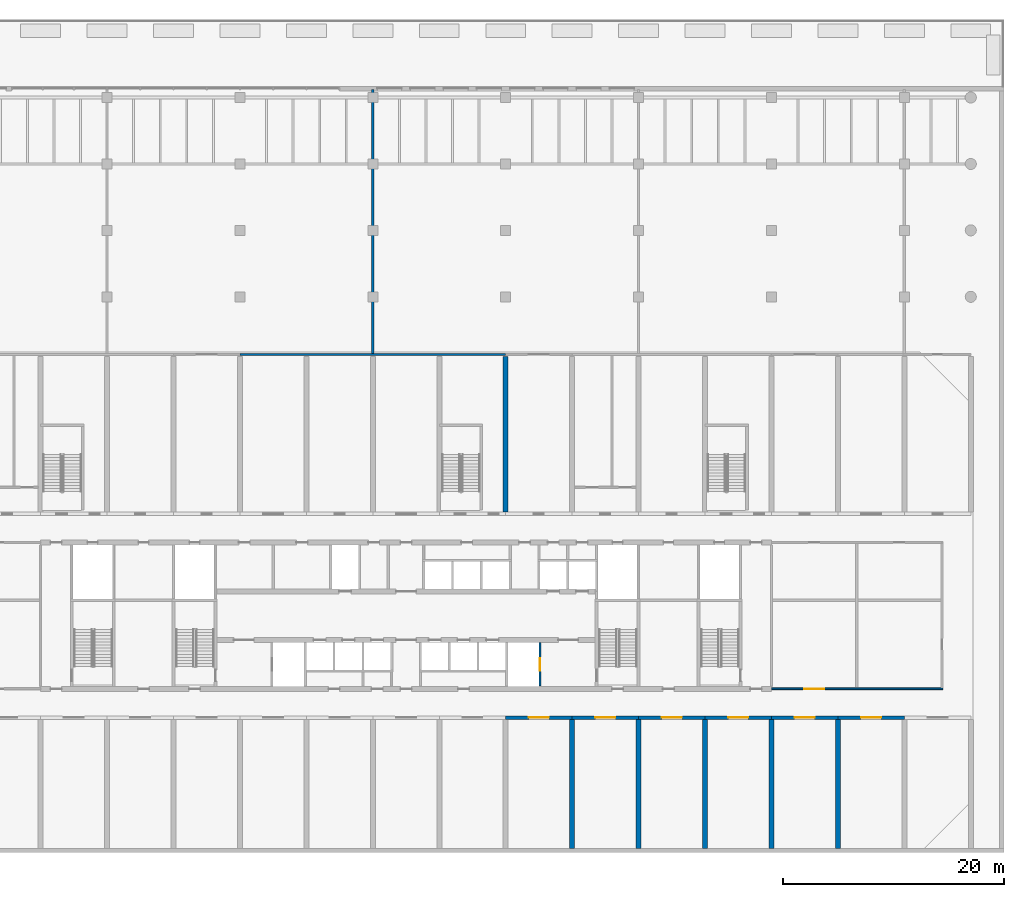
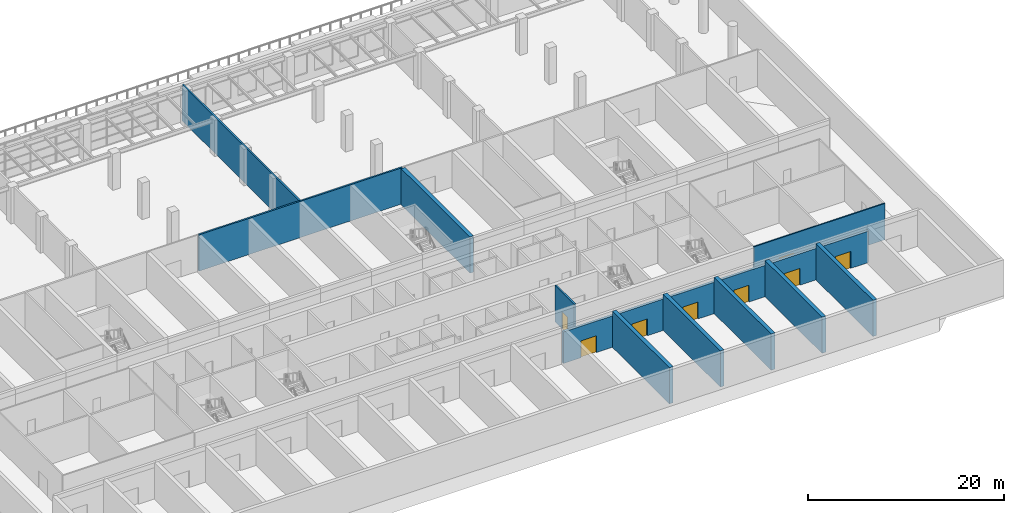
# One storey, part 12 of 20: 16 walls, 8 doors, 8 openings.
"""IFC4 building model written with IfcOpenShell, lengths in metres."""

from ifc_helpers import new_model, si_unit, direction, frame, frame_2d, origin, place, context, subcontext, project, spatial, rectangle, extrude, material, layer, layer_set, type_object, element, fill, save


model = new_model("IFC4")

# Units and contexts
model_context = context("Model", 3, precision=1e-05, world=origin(), true_north=direction((0.0, 1.0)))
body_context = subcontext(model_context, "Body", "Model", "MODEL_VIEW")
ifc_project = project(units=[si_unit("LENGTHUNIT", "METRE"), si_unit("AREAUNIT", "SQUARE_METRE"), si_unit("VOLUMEUNIT", "CUBIC_METRE"), si_unit("PLANEANGLEUNIT", "RADIAN"), si_unit("MASSUNIT", "GRAM", prefix="KILO")], contexts=[model_context])

# Site, building, storey
site_placement = place(None, origin())
site = spatial("IfcSite", under=ifc_project, at=site_placement, CompositionType="ELEMENT")
building_placement = place(site_placement, origin())
building = spatial("IfcBuilding", under=site, at=building_placement, Name="Poui Terraces", CompositionType="ELEMENT")
storey_placement = place(building_placement, frame((0.0, 0.0, 6.0)))
storey = spatial("IfcBuildingStorey", under=building, at=storey_placement, Name="L01", CompositionType="ELEMENT", Elevation=6.0)

# Walls
ifc_material_1 = material(Name="Fire-rated masonry wall", Category="masonry")
ifc_layer_1 = layer(ifc_material_1, 0.199951171875)
ifc_layer_set_1 = layer_set([ifc_layer_1], Name="Fire-rated masonry wall")
wall_type_1 = type_object("IfcWallType", Name="COMPARTMENT WALL 200", PredefinedType="PARTITIONING", material=ifc_layer_set_1)
wall_1_placement = place(storey_placement, frame((36.0, 44.800048828125, 0.0), z_axis=(0.0, 0.0, 1.0), x_axis=(1.0, 0.0, 0.0)))
element("IfcWall", 1, at=wall_1_placement, inside=storey, type_object=wall_type_1, Name="COMPARTMENT WALL 200", PredefinedType="PARTITIONING", context=body_context, shape_type="SweptSolid", body=[
    extrude(rectangle(XDim=24.0, YDim=0.199951171875, at=frame_2d((12.0, 0.0))), origin(), (0.0, 0.0, 1.0), 4.52001953125),
])
wall_2_placement = place(storey_placement, frame((48.0, 44.89990234375, 0.0), z_axis=(0.0, 0.0, 1.0), x_axis=(0.0, 1.0, 0.0)))
element("IfcWall", 2, at=wall_2_placement, inside=storey, type_object=wall_type_1, Name="COMPARTMENT WALL 200", PredefinedType="PARTITIONING", context=body_context, shape_type="SweptSolid", body=[
    extrude(rectangle(XDim=23.840087890625, YDim=0.199951171875, at=frame_2d((11.919921875, 0.0))), origin(), (0.0, 0.0, 1.0), 4.52001953125),
])

# Wall, opening, door
ifc_material_2 = material(Name="Fire-rated plasterboard wall")
ifc_layer_2 = layer(ifc_material_2, 0.14990234375)
ifc_layer_set_2 = layer_set([ifc_layer_2], Name="Fire-rated plasterboard wall")
wall_type_2 = type_object("IfcWallType", Name="CORRIDOR WALL 150", PredefinedType="PARTITIONING", material=ifc_layer_set_2)
wall_3_placement = place(storey_placement, frame((84.010009765625, 14.60009765625, 0.0), z_axis=(0.0, 0.0, 1.0), x_axis=(1.0, 0.0, 0.0)))
wall_3 = element("IfcWall", 3, at=wall_3_placement, inside=storey, type_object=wall_type_2, Name="CORRIDOR WALL 150", PredefinedType="PARTITIONING", context=body_context, shape_type="SweptSolid", body=[
    extrude(rectangle(XDim=15.465087890625, YDim=0.14990234375, at=frame_2d((7.732421875, 0.0))), origin(), (0.0, 0.0, 1.0), 4.52001953125),
])
opening_1_placement = place(wall_3_placement, frame((2.93994140625, 0.0, 0.0)))
opening_1 = element("IfcOpeningElement", 4, at=opening_1_placement, cuts=wall_3, Name="Opening DD180", PredefinedType="OPENING", context=body_context, shape_type="SweptSolid", body=[
    extrude(rectangle(XDim=1.800048828125, YDim=2.10009765625, at=frame_2d((0.89990234375, 1.050048828125))), frame((0.0, 0.0849609375, 0.0), z_axis=(0.0, -1.0, 0.0), x_axis=(1.0, 0.0, 0.0)), (0.0, 0.0, 1.0), 0.169921875),
])
ifc_material_3 = material(Name="Steel fire door", Category="steel")
door_type_1 = type_object("IfcDoorType", Name="DOUBLE INTERNAL DOOR 1800 X 2100", OperationType="DOUBLE_DOOR_SINGLE_SWING", PredefinedType="DOOR", material=ifc_material_3)
door_1_placement = place(opening_1_placement, frame((1.800048828125, 0.0, 0.0), z_axis=(0.0, 0.0, 1.0), x_axis=(-1.0, 0.0, 0.0)))
door_1 = element("IfcDoor", 5, at=door_1_placement, inside=storey, type_object=door_type_1, Name="DOUBLE INTERNAL DOOR 068", OperationType="DOUBLE_DOOR_SINGLE_SWING", OverallHeight=2.10009765625, OverallWidth=1.800048828125, PredefinedType="DOOR", context=body_context, shape_type="SweptSolid", body=[
    extrude(rectangle(XDim=1.800048828125, YDim=2.10009765625, at=frame_2d((0.89990234375, 1.050048828125))), frame((0.0, 0.02490234375, 0.0), z_axis=(0.0, -1.0, 0.0), x_axis=(1.0, 0.0, 0.0)), (0.0, 0.0, 1.0), 0.050048828125),
])
fill(opening_1, door_1)

ifc_material_4 = material(Name="Concrete 80 MPa", Category="concrete")
ifc_layer_3 = layer(ifc_material_4, 0.300048828125)
ifc_layer_set_3 = layer_set([ifc_layer_3], Name="Concrete 80 MPa")
wall_type_3 = type_object("IfcWallType", Name="CORRIDOR WALL 300 80MPa", PredefinedType="SHEAR", material=ifc_layer_set_3)
wall_4_placement = place(storey_placement, frame((60.0, 12.0, 0.0), z_axis=(0.0, 0.0, 1.0), x_axis=(1.0, 0.0, 0.0)))
wall_4 = element("IfcWall", 6, at=wall_4_placement, inside=storey, type_object=wall_type_3, Name="CORRIDOR WALL LINE B BAY 11", PredefinedType="SHEAR", context=body_context, shape_type="SweptSolid", body=[
    extrude(rectangle(XDim=6.0, YDim=0.300048828125, at=frame_2d((3.0, 0.0))), origin(), (0.0, 0.0, 1.0), 3.919921875),
])
opening_2_placement = place(wall_4_placement, frame((2.10009765625, 0.0, 0.0)))
opening_2 = element("IfcOpeningElement", 7, at=opening_2_placement, cuts=wall_4, Name="Opening DD180", PredefinedType="OPENING", context=body_context, shape_type="SweptSolid", body=[
    extrude(rectangle(XDim=1.800048828125, YDim=2.10009765625, at=frame_2d((0.89990234375, 1.050048828125))), frame((0.0, 0.16015625, 0.0), z_axis=(0.0, -1.0, 0.0), x_axis=(1.0, 0.0, 0.0)), (0.0, 0.0, 1.0), 0.320068359375),
])
door_2_placement = place(opening_2_placement, origin())
door_2 = element("IfcDoor", 8, at=door_2_placement, inside=storey, type_object=door_type_1, Name="DOUBLE INTERNAL DOOR 060", OperationType="DOUBLE_DOOR_SINGLE_SWING", OverallHeight=2.10009765625, OverallWidth=1.800048828125, PredefinedType="DOOR", context=body_context, shape_type="SweptSolid", body=[
    extrude(rectangle(XDim=1.800048828125, YDim=2.10009765625, at=frame_2d((0.89990234375, 1.050048828125))), frame((0.0, 0.02490234375, 0.0), z_axis=(0.0, -1.0, 0.0), x_axis=(1.0, 0.0, 0.0)), (0.0, 0.0, 1.0), 0.050048828125),
])
fill(opening_2, door_2)

wall_5_placement = place(storey_placement, frame((66.0, 12.0, 0.0), z_axis=(0.0, 0.0, 1.0), x_axis=(1.0, 0.0, 0.0)))
wall_5 = element("IfcWall", 9, at=wall_5_placement, inside=storey, type_object=wall_type_3, Name="CORRIDOR WALL LINE B BAY 12", PredefinedType="SHEAR", context=body_context, shape_type="SweptSolid", body=[
    extrude(rectangle(XDim=6.0, YDim=0.300048828125, at=frame_2d((3.0, 0.0))), origin(), (0.0, 0.0, 1.0), 3.919921875),
])
opening_3_placement = place(wall_5_placement, frame((2.10009765625, 0.0, 0.0)))
opening_3 = element("IfcOpeningElement", 10, at=opening_3_placement, cuts=wall_5, Name="Opening DD180", PredefinedType="OPENING", context=body_context, shape_type="SweptSolid", body=[
    extrude(rectangle(XDim=1.800048828125, YDim=2.10009765625, at=frame_2d((0.89990234375, 1.050048828125))), frame((0.0, 0.16015625, 0.0), z_axis=(0.0, -1.0, 0.0), x_axis=(1.0, 0.0, 0.0)), (0.0, 0.0, 1.0), 0.320068359375),
])
door_3_placement = place(opening_3_placement, origin())
door_3 = element("IfcDoor", 11, at=door_3_placement, inside=storey, type_object=door_type_1, Name="DOUBLE INTERNAL DOOR 061", OperationType="DOUBLE_DOOR_SINGLE_SWING", OverallHeight=2.10009765625, OverallWidth=1.800048828125, PredefinedType="DOOR", context=body_context, shape_type="SweptSolid", body=[
    extrude(rectangle(XDim=1.800048828125, YDim=2.10009765625, at=frame_2d((0.89990234375, 1.050048828125))), frame((0.0, 0.02490234375, 0.0), z_axis=(0.0, -1.0, 0.0), x_axis=(1.0, 0.0, 0.0)), (0.0, 0.0, 1.0), 0.050048828125),
])
fill(opening_3, door_3)

wall_6_placement = place(storey_placement, frame((72.0, 12.0, 0.0), z_axis=(0.0, 0.0, 1.0), x_axis=(1.0, 0.0, 0.0)))
wall_6 = element("IfcWall", 12, at=wall_6_placement, inside=storey, type_object=wall_type_3, Name="CORRIDOR WALL LINE B BAY 13", PredefinedType="SHEAR", context=body_context, shape_type="SweptSolid", body=[
    extrude(rectangle(XDim=6.0, YDim=0.300048828125, at=frame_2d((3.0, 0.0))), origin(), (0.0, 0.0, 1.0), 3.919921875),
])
opening_4_placement = place(wall_6_placement, frame((2.10009765625, 0.0, 0.0)))
opening_4 = element("IfcOpeningElement", 13, at=opening_4_placement, cuts=wall_6, Name="Opening DD180", PredefinedType="OPENING", context=body_context, shape_type="SweptSolid", body=[
    extrude(rectangle(XDim=1.800048828125, YDim=2.10009765625, at=frame_2d((0.89990234375, 1.050048828125))), frame((0.0, 0.16015625, 0.0), z_axis=(0.0, -1.0, 0.0), x_axis=(1.0, 0.0, 0.0)), (0.0, 0.0, 1.0), 0.320068359375),
])
door_4_placement = place(opening_4_placement, origin())
door_4 = element("IfcDoor", 14, at=door_4_placement, inside=storey, type_object=door_type_1, Name="DOUBLE INTERNAL DOOR 064", OperationType="DOUBLE_DOOR_SINGLE_SWING", OverallHeight=2.10009765625, OverallWidth=1.800048828125, PredefinedType="DOOR", context=body_context, shape_type="SweptSolid", body=[
    extrude(rectangle(XDim=1.800048828125, YDim=2.10009765625, at=frame_2d((0.89990234375, 1.050048828125))), frame((0.0, 0.02490234375, 0.0), z_axis=(0.0, -1.0, 0.0), x_axis=(1.0, 0.0, 0.0)), (0.0, 0.0, 1.0), 0.050048828125),
])
fill(opening_4, door_4)

wall_7_placement = place(storey_placement, frame((78.0, 12.0, 0.0), z_axis=(0.0, 0.0, 1.0), x_axis=(1.0, 0.0, 0.0)))
wall_7 = element("IfcWall", 15, at=wall_7_placement, inside=storey, type_object=wall_type_3, Name="CORRIDOR WALL LINE B BAY 14", PredefinedType="SHEAR", context=body_context, shape_type="SweptSolid", body=[
    extrude(rectangle(XDim=6.0, YDim=0.300048828125, at=frame_2d((3.0, 0.0))), origin(), (0.0, 0.0, 1.0), 3.919921875),
])
opening_5_placement = place(wall_7_placement, frame((2.10009765625, 0.0, 0.0)))
opening_5 = element("IfcOpeningElement", 16, at=opening_5_placement, cuts=wall_7, Name="Opening DD180", PredefinedType="OPENING", context=body_context, shape_type="SweptSolid", body=[
    extrude(rectangle(XDim=1.800048828125, YDim=2.10009765625, at=frame_2d((0.89990234375, 1.050048828125))), frame((0.0, 0.16015625, 0.0), z_axis=(0.0, -1.0, 0.0), x_axis=(1.0, 0.0, 0.0)), (0.0, 0.0, 1.0), 0.320068359375),
])
door_5_placement = place(opening_5_placement, origin())
door_5 = element("IfcDoor", 17, at=door_5_placement, inside=storey, type_object=door_type_1, Name="DOUBLE INTERNAL DOOR 065", OperationType="DOUBLE_DOOR_SINGLE_SWING", OverallHeight=2.10009765625, OverallWidth=1.800048828125, PredefinedType="DOOR", context=body_context, shape_type="SweptSolid", body=[
    extrude(rectangle(XDim=1.800048828125, YDim=2.10009765625, at=frame_2d((0.89990234375, 1.050048828125))), frame((0.0, 0.02490234375, 0.0), z_axis=(0.0, -1.0, 0.0), x_axis=(1.0, 0.0, 0.0)), (0.0, 0.0, 1.0), 0.050048828125),
])
fill(opening_5, door_5)

wall_8_placement = place(storey_placement, frame((84.0, 12.0, 0.0), z_axis=(0.0, 0.0, 1.0), x_axis=(1.0, 0.0, 0.0)))
wall_8 = element("IfcWall", 18, at=wall_8_placement, inside=storey, type_object=wall_type_3, Name="CORRIDOR WALL LINE B BAY 15", PredefinedType="SHEAR", context=body_context, shape_type="SweptSolid", body=[
    extrude(rectangle(XDim=6.0, YDim=0.300048828125, at=frame_2d((3.0, 0.0))), origin(), (0.0, 0.0, 1.0), 3.919921875),
])
opening_6_placement = place(wall_8_placement, frame((2.10009765625, 0.0, 0.0)))
opening_6 = element("IfcOpeningElement", 19, at=opening_6_placement, cuts=wall_8, Name="Opening DD180", PredefinedType="OPENING", context=body_context, shape_type="SweptSolid", body=[
    extrude(rectangle(XDim=1.800048828125, YDim=2.10009765625, at=frame_2d((0.89990234375, 1.050048828125))), frame((0.0, 0.16015625, 0.0), z_axis=(0.0, -1.0, 0.0), x_axis=(1.0, 0.0, 0.0)), (0.0, 0.0, 1.0), 0.320068359375),
])
door_6_placement = place(opening_6_placement, origin())
door_6 = element("IfcDoor", 20, at=door_6_placement, inside=storey, type_object=door_type_1, Name="DOUBLE INTERNAL DOOR 067", OperationType="DOUBLE_DOOR_SINGLE_SWING", OverallHeight=2.10009765625, OverallWidth=1.800048828125, PredefinedType="DOOR", context=body_context, shape_type="SweptSolid", body=[
    extrude(rectangle(XDim=1.800048828125, YDim=2.10009765625, at=frame_2d((0.89990234375, 1.050048828125))), frame((0.0, 0.02490234375, 0.0), z_axis=(0.0, -1.0, 0.0), x_axis=(1.0, 0.0, 0.0)), (0.0, 0.0, 1.0), 0.050048828125),
])
fill(opening_6, door_6)

wall_9_placement = place(storey_placement, frame((90.0, 12.0, 0.0), z_axis=(0.0, 0.0, 1.0), x_axis=(1.0, 0.0, 0.0)))
wall_9 = element("IfcWall", 21, at=wall_9_placement, inside=storey, type_object=wall_type_3, Name="CORRIDOR WALL LINE B BAY 16", PredefinedType="SHEAR", context=body_context, shape_type="SweptSolid", body=[
    extrude(rectangle(XDim=6.0, YDim=0.300048828125, at=frame_2d((3.0, 0.0))), origin(), (0.0, 0.0, 1.0), 3.919921875),
])
opening_7_placement = place(wall_9_placement, frame((2.10009765625, 0.0, 0.0)))
opening_7 = element("IfcOpeningElement", 22, at=opening_7_placement, cuts=wall_9, Name="Opening DD180", PredefinedType="OPENING", context=body_context, shape_type="SweptSolid", body=[
    extrude(rectangle(XDim=1.800048828125, YDim=2.10009765625, at=frame_2d((0.89990234375, 1.050048828125))), frame((0.0, 0.16015625, 0.0), z_axis=(0.0, -1.0, 0.0), x_axis=(1.0, 0.0, 0.0)), (0.0, 0.0, 1.0), 0.320068359375),
])
door_7_placement = place(opening_7_placement, origin())
door_7 = element("IfcDoor", 23, at=door_7_placement, inside=storey, type_object=door_type_1, Name="DOUBLE INTERNAL DOOR 069", OperationType="DOUBLE_DOOR_SINGLE_SWING", OverallHeight=2.10009765625, OverallWidth=1.800048828125, PredefinedType="DOOR", context=body_context, shape_type="SweptSolid", body=[
    extrude(rectangle(XDim=1.800048828125, YDim=2.10009765625, at=frame_2d((0.89990234375, 1.050048828125))), frame((0.0, 0.02490234375, 0.0), z_axis=(0.0, -1.0, 0.0), x_axis=(1.0, 0.0, 0.0)), (0.0, 0.0, 1.0), 0.050048828125),
])
fill(opening_7, door_7)

# Walls
ifc_layer_4 = layer(ifc_material_4, 0.449951171875)
ifc_layer_set_4 = layer_set([ifc_layer_4], Name="Concrete 80 MPa")
wall_type_4 = type_object("IfcWallType", Name="CROSS WALL 450 80MPa", PredefinedType="SHEAR", material=ifc_layer_set_4)
wall_10_placement = place(storey_placement, frame((60.0, 30.550048828125, 0.0), z_axis=(0.0, 0.0, 1.0), x_axis=(0.0, 1.0, 0.0)))
element("IfcWall", 24, at=wall_10_placement, inside=storey, type_object=wall_type_4, Name="CROSS WALL LINE 11 NORTH", PredefinedType="SHEAR", context=body_context, shape_type="SweptSolid", body=[
    extrude(rectangle(XDim=14.050048828125, YDim=0.449951171875, at=frame_2d((7.02490234375, 0.0))), origin(), (0.0, 0.0, 1.0), 4.52001953125),
])
for number, where, z_axis, x_axis, name in (
    (25, (66.0, 0.199951171875, 0.0), (0.0, 0.0, 1.0), (0.0, 1.0, 0.0), "CROSS WALL LINE 12 SOUTH"),
    (26, (72.0, 0.199951171875, 0.0), (0.0, 0.0, 1.0), (0.0, 1.0, 0.0), "CROSS WALL LINE 13 SOUTH"),
    (27, (78.0, 0.199951171875, 0.0), (0.0, 0.0, 1.0), (0.0, 1.0, 0.0), "CROSS WALL LINE 14 SOUTH"),
    (28, (84.0, 0.199951171875, 0.0), (0.0, 0.0, 1.0), (0.0, 1.0, 0.0), "CROSS WALL LINE 15 SOUTH"),
    (29, (90.0, 0.199951171875, 0.0), (0.0, 0.0, 1.0), (0.0, 1.0, 0.0), "CROSS WALL LINE 16 SOUTH"),
):
    element("IfcWall", number, at=place(storey_placement, frame(where, z_axis=z_axis, x_axis=x_axis)), inside=storey, type_object=wall_type_4, Name=name, PredefinedType="SHEAR", context=body_context, shape_type="SweptSolid", body=[
        extrude(rectangle(XDim=11.650146484375, YDim=0.449951171875, at=frame_2d((5.8251953125, 0.0))), origin(), (0.0, 0.0, 1.0), 4.52001953125),
    ])

# Wall, opening, door
ifc_material_5 = material(Name="Fire-rated masonry shaft wall", Category="masonry")
ifc_layer_5 = layer(ifc_material_5, 0.199951171875)
ifc_layer_set_5 = layer_set([ifc_layer_5], Name="Fire-rated masonry shaft wall")
wall_type_5 = type_object("IfcWallType", Name="SHAFT WALL 200", PredefinedType="PARTITIONING", material=ifc_layer_set_5)
wall_11_placement = place(storey_placement, frame((63.10009765625, 14.8349609375, 0.0), z_axis=(0.0, 0.0, 1.0), x_axis=(0.0, 1.0, 0.0)))
wall_11 = element("IfcWall", 30, at=wall_11_placement, inside=storey, type_object=wall_type_5, Name="SHAFT WALL 200", PredefinedType="PARTITIONING", context=body_context, shape_type="SweptSolid", body=[
    extrude(rectangle(XDim=3.929931640625, YDim=0.199951171875, at=frame_2d((1.96484375, 0.0))), origin(), (0.0, 0.0, 1.0), 4.52001953125),
])
opening_8_placement = place(wall_11_placement, frame((1.4150390625, 0.0, 0.0)))
opening_8 = element("IfcOpeningElement", 31, at=opening_8_placement, cuts=wall_11, Name="Opening LD", PredefinedType="OPENING", context=body_context, shape_type="SweptSolid", body=[
    extrude(rectangle(XDim=1.10009765625, YDim=2.10009765625, at=frame_2d((0.550048828125, 1.050048828125))), frame((0.0, 0.10986328125, 0.0), z_axis=(0.0, -1.0, 0.0), x_axis=(1.0, 0.0, 0.0)), (0.0, 0.0, 1.0), 0.219970703125),
])
ifc_material_6 = material(Name="Stainless steel sliding door", Category="steel")
door_type_2 = type_object("IfcDoorType", Name="LIFT LANDING DOOR 1100 X 2100", OperationType="DOUBLE_DOOR_SLIDING", PredefinedType="DOOR", material=ifc_material_6)
door_8_placement = place(opening_8_placement, origin())
door_8 = element("IfcDoor", 32, at=door_8_placement, inside=storey, type_object=door_type_2, Name="LANDING DOOR", OperationType="DOUBLE_DOOR_SLIDING", OverallHeight=2.10009765625, OverallWidth=1.10009765625, PredefinedType="DOOR", context=body_context, shape_type="SweptSolid", body=[
    extrude(rectangle(XDim=1.10009765625, YDim=2.10009765625, at=frame_2d((0.550048828125, 1.050048828125))), frame((0.0, 0.02490234375, 0.0), z_axis=(0.0, -1.0, 0.0), x_axis=(1.0, 0.0, 0.0)), (0.0, 0.0, 1.0), 0.050048828125),
])
fill(opening_8, door_8)

save(model, "model.ifc")
